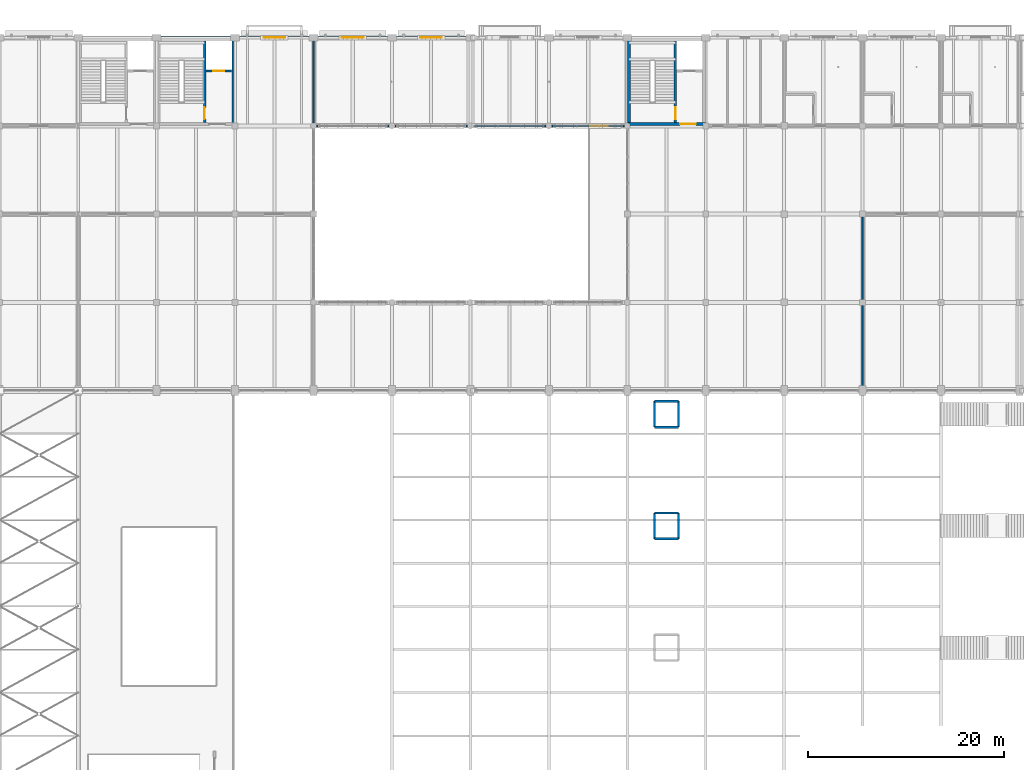
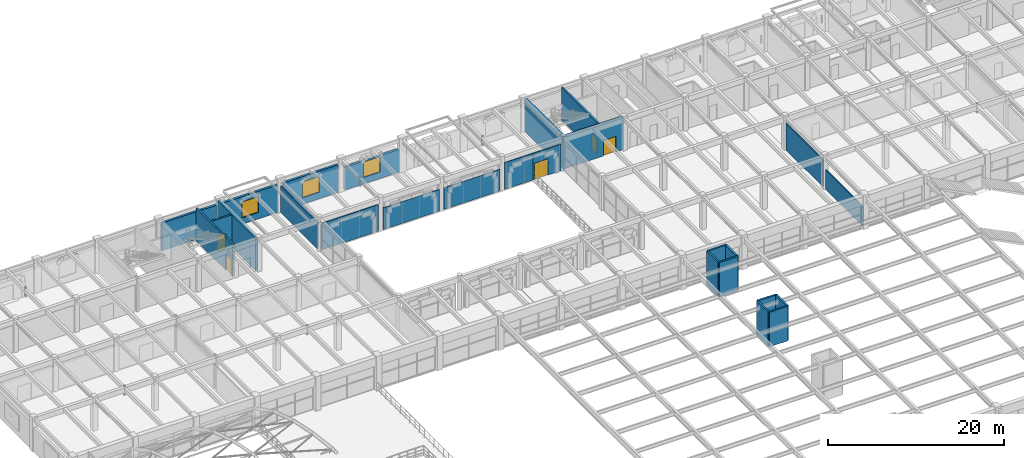
# One storey, part 109 of 144: 26 walls, 5 doors, 3 windows, 8 openings.
"""IFC4 building model written with IfcOpenShell, lengths in metres."""

from ifc_helpers import new_model, si_unit, direction, frame, frame_2d, origin, place, context, subcontext, project, spatial, rectangle, extrude, material, layer, layer_set, type_object, element, fill, save


model = new_model("IFC4")

# Units and contexts
model_context = context("Model", 3, precision=1e-05, world=origin(), true_north=direction((0.0, 1.0)))
body_context = subcontext(model_context, "Body", "Model", "MODEL_VIEW")
ifc_project = project(units=[si_unit("LENGTHUNIT", "METRE"), si_unit("AREAUNIT", "SQUARE_METRE"), si_unit("VOLUMEUNIT", "CUBIC_METRE"), si_unit("PLANEANGLEUNIT", "RADIAN"), si_unit("MASSUNIT", "GRAM", prefix="KILO")], contexts=[model_context])

# Site, building, storey
site_placement = place(None, origin())
site = spatial("IfcSite", under=ifc_project, at=site_placement, CompositionType="ELEMENT")
building_placement = place(site_placement, origin())
building = spatial("IfcBuilding", under=site, at=building_placement, Name="Varnabhumi Central Station", CompositionType="ELEMENT")
storey_placement = place(building_placement, frame((0.0, 0.0, 4.800048828125)))
storey = spatial("IfcBuildingStorey", under=building, at=storey_placement, Name="L01", CompositionType="ELEMENT", Elevation=4.800048828125)

# Wall
ifc_material_1 = material(Name="Concrete M40", Category="concrete")
ifc_layer_1 = layer(ifc_material_1, 0.300048828125, Name="Concrete M40", Category="concrete")
ifc_layer_set_1 = layer_set([ifc_layer_1], Name="Concrete M40")
wall_type_1 = type_object("IfcWallType", Name="WAL-CORE-RC-300", PredefinedType="SHEAR", material=ifc_layer_set_1)
wall_1_placement = place(storey_placement, frame((80.179931640625, 107.179931640625, 0.0), z_axis=(0.0, 0.0, 1.0), x_axis=(0.0, 1.0, 0.0)))
element("IfcWall", 1, at=wall_1_placement, inside=storey, type_object=wall_type_1, Name="NC2 L01 West Shear Wall", PredefinedType="SHEAR", context=body_context, shape_type="SweptSolid", body=[
    extrude(rectangle(XDim=8.64013671875, YDim=0.300048828125, at=frame_2d((4.320068359375, 0.0))), origin(), (0.0, 0.0, 1.0), 4.52001953125),
])

# Wall, opening, door
wall_2_placement = place(storey_placement, frame((80.030029296875, 107.179931640625, 0.0), z_axis=(0.0, 0.0, 1.0), x_axis=(1.0, 0.0, 0.0)))
wall_2 = element("IfcWall", 2, at=wall_2_placement, inside=storey, type_object=wall_type_1, Name="NC2 L01 Corridor Shear Wall", PredefinedType="SHEAR", context=body_context, shape_type="SweptSolid", body=[
    extrude(rectangle(XDim=7.93994140625, YDim=0.300048828125, at=frame_2d((3.969970703125, 0.0))), origin(), (0.0, 0.0, 1.0), 4.52001953125),
])
opening_1_placement = place(wall_2_placement, frame((5.35009765625, 0.0, 0.0)))
opening_1 = element("IfcOpeningElement", 3, at=opening_1_placement, cuts=wall_2, Name="Opening FD-60D", PredefinedType="OPENING", context=body_context, shape_type="SweptSolid", body=[
    extrude(rectangle(XDim=1.60009765625, YDim=2.14990234375, at=frame_2d((0.800048828125, 1.074951171875))), frame((0.0, 0.159912109375, 0.0), z_axis=(0.0, -1.0, 0.0), x_axis=(1.0, 0.0, 0.0)), (0.0, 0.0, 1.0), 0.320068359375),
])
ifc_material_2 = material(Name="Intumescent-treated hardwood timber", Category="wood")
door_type_1 = type_object("IfcDoorType", Name="DR-FIRE-60-1600", OperationType="NOTDEFINED", PredefinedType="DOOR", material=ifc_material_2)
door_1_placement = place(opening_1_placement, frame((1.60009765625, 0.0, 0.0), z_axis=(0.0, 0.0, 1.0), x_axis=(-1.0, 0.0, 0.0)))
door_1 = element("IfcDoor", 4, at=door_1_placement, inside=storey, type_object=door_type_1, Name="NC2 L01 Lobby Fire Door", OperationType="DOUBLE_DOOR_SINGLE_SWING", OverallHeight=2.14990234375, OverallWidth=1.60009765625, PredefinedType="DOOR", context=body_context, shape_type="SweptSolid", body=[
    extrude(rectangle(XDim=1.60009765625, YDim=2.14990234375, at=frame_2d((0.800048828125, 1.074951171875))), frame((0.0, 0.02490234375, 0.0), z_axis=(0.0, -1.0, 0.0), x_axis=(1.0, 0.0, 0.0)), (0.0, 0.0, 1.0), 0.050048828125),
])
fill(opening_1, door_1)

# Walls
wall_3_placement = place(storey_placement, frame((39.820068359375, 107.179931640625, 0.0), z_axis=(0.0, 0.0, 1.0), x_axis=(0.0, 1.0, 0.0)))
element("IfcWall", 5, at=wall_3_placement, inside=storey, type_object=wall_type_1, Name="NC4 L01 East Shear Wall", PredefinedType="SHEAR", context=body_context, shape_type="SweptSolid", body=[
    extrude(rectangle(XDim=8.64013671875, YDim=0.300048828125, at=frame_2d((4.320068359375, 0.0))), origin(), (0.0, 0.0, 1.0), 4.52001953125),
])
ifc_material_3 = material(Name="Autoclaved aerated blockwork masonry", Category="masonry")
ifc_layer_2 = layer(ifc_material_3, 0.300048828125, Name="Autoclaved aerated blockwork masonry", Category="masonry")
ifc_layer_set_2 = layer_set([ifc_layer_2], Name="Autoclaved aerated blockwork masonry")
wall_type_2 = type_object("IfcWallType", Name="WAL-EXT-STUCCO-300", PredefinedType="SOLIDWALL", material=ifc_layer_set_2)
wall_4_placement = place(storey_placement, frame((32.39990234375, 116.0, 0.0), z_axis=(0.0, 0.0, 1.0), x_axis=(1.0, 0.0, 0.0)))
element("IfcWall", 6, at=wall_4_placement, inside=storey, type_object=wall_type_2, Name="North Boulevard Wall L01-5", PredefinedType="SOLIDWALL", context=body_context, shape_type="SweptSolid", body=[
    extrude(rectangle(XDim=7.2001953125, YDim=0.300048828125, at=frame_2d((3.60009765625, 0.0))), origin(), (0.0, 0.0, 1.0), 3.83984375),
])

# Wall, opening, window
wall_5_placement = place(storey_placement, frame((40.39990234375, 116.0, 0.0), z_axis=(0.0, 0.0, 1.0), x_axis=(1.0, 0.0, 0.0)))
wall_5 = element("IfcWall", 7, at=wall_5_placement, inside=storey, type_object=wall_type_2, Name="North Boulevard Wall L01-6", PredefinedType="SOLIDWALL", context=body_context, shape_type="SweptSolid", body=[
    extrude(rectangle(XDim=7.2001953125, YDim=0.300048828125, at=frame_2d((3.60009765625, 0.0))), origin(), (0.0, 0.0, 1.0), 3.83984375),
])
opening_2_placement = place(wall_5_placement, frame((2.5, 0.0, 0.89990234375)))
opening_2 = element("IfcOpeningElement", 8, at=opening_2_placement, cuts=wall_5, Name="Opening W-03", PredefinedType="OPENING", context=body_context, shape_type="SweptSolid", body=[
    extrude(rectangle(XDim=2.199951171875, YDim=2.199951171875, at=frame_2d((1.10009765625, 1.10009765625))), frame((0.0, 0.159912109375, 0.0), z_axis=(0.0, -1.0, 0.0), x_axis=(1.0, 0.0, 0.0)), (0.0, 0.0, 1.0), 0.320068359375),
])
ifc_material_4 = material(Name="Laminated low-E double glazing", Category="glass")
window_type = type_object("IfcWindowType", Name="WIN-PIER-2200x2200", PartitioningType="DOUBLE_PANEL_VERTICAL", PredefinedType="WINDOW", material=ifc_material_4)
window_1_placement = place(opening_2_placement, origin())
window_1 = element("IfcWindow", 9, at=window_1_placement, inside=storey, type_object=window_type, Name="North Facade Window L01-6", OverallHeight=2.199951171875, OverallWidth=2.199951171875, PartitioningType="SINGLE_PANEL", PredefinedType="WINDOW", context=body_context, shape_type="SweptSolid", body=[
    extrude(rectangle(XDim=2.199951171875, YDim=2.199951171875, at=frame_2d((1.10009765625, 1.10009765625))), frame((0.0, 0.030029296875, 0.0), z_axis=(0.0, -1.0, 0.0), x_axis=(1.0, 0.0, 0.0)), (0.0, 0.0, 1.0), 0.06005859375),
])
fill(opening_2, window_1)

wall_6_placement = place(storey_placement, frame((48.39990234375, 116.0, 0.0), z_axis=(0.0, 0.0, 1.0), x_axis=(1.0, 0.0, 0.0)))
wall_6 = element("IfcWall", 10, at=wall_6_placement, inside=storey, type_object=wall_type_2, Name="North Boulevard Wall L01-7", PredefinedType="SOLIDWALL", context=body_context, shape_type="SweptSolid", body=[
    extrude(rectangle(XDim=7.2001953125, YDim=0.300048828125, at=frame_2d((3.60009765625, 0.0))), origin(), (0.0, 0.0, 1.0), 3.83984375),
])
opening_3_placement = place(wall_6_placement, frame((2.5, 0.0, 0.89990234375)))
opening_3 = element("IfcOpeningElement", 11, at=opening_3_placement, cuts=wall_6, Name="Opening W-03", PredefinedType="OPENING", context=body_context, shape_type="SweptSolid", body=[
    extrude(rectangle(XDim=2.199951171875, YDim=2.199951171875, at=frame_2d((1.10009765625, 1.10009765625))), frame((0.0, 0.159912109375, 0.0), z_axis=(0.0, -1.0, 0.0), x_axis=(1.0, 0.0, 0.0)), (0.0, 0.0, 1.0), 0.320068359375),
])
window_2_placement = place(opening_3_placement, origin())
window_2 = element("IfcWindow", 12, at=window_2_placement, inside=storey, type_object=window_type, Name="North Facade Window L01-7", OverallHeight=2.199951171875, OverallWidth=2.199951171875, PartitioningType="SINGLE_PANEL", PredefinedType="WINDOW", context=body_context, shape_type="SweptSolid", body=[
    extrude(rectangle(XDim=2.199951171875, YDim=2.199951171875, at=frame_2d((1.10009765625, 1.10009765625))), frame((0.0, 0.030029296875, 0.0), z_axis=(0.0, -1.0, 0.0), x_axis=(1.0, 0.0, 0.0)), (0.0, 0.0, 1.0), 0.06005859375),
])
fill(opening_3, window_2)

wall_7_placement = place(storey_placement, frame((56.39990234375, 116.0, 0.0), z_axis=(0.0, 0.0, 1.0), x_axis=(1.0, 0.0, 0.0)))
wall_7 = element("IfcWall", 13, at=wall_7_placement, inside=storey, type_object=wall_type_2, Name="North Boulevard Wall L01-8", PredefinedType="SOLIDWALL", context=body_context, shape_type="SweptSolid", body=[
    extrude(rectangle(XDim=7.2001953125, YDim=0.300048828125, at=frame_2d((3.60009765625, 0.0))), origin(), (0.0, 0.0, 1.0), 3.179931640625),
])
opening_4_placement = place(wall_7_placement, frame((2.5, 0.0, 0.89990234375)))
opening_4 = element("IfcOpeningElement", 14, at=opening_4_placement, cuts=wall_7, Name="Opening W-03", PredefinedType="OPENING", context=body_context, shape_type="SweptSolid", body=[
    extrude(rectangle(XDim=2.199951171875, YDim=2.139892578125, at=frame_2d((1.10009765625, 1.06982421875))), frame((0.0, 0.159912109375, 0.0), z_axis=(0.0, -1.0, 0.0), x_axis=(1.0, 0.0, 0.0)), (0.0, 0.0, 1.0), 0.320068359375),
])
window_3_placement = place(opening_4_placement, origin())
window_3 = element("IfcWindow", 15, at=window_3_placement, inside=storey, type_object=window_type, Name="North Facade Window L01-8", OverallHeight=2.139892578125, OverallWidth=2.199951171875, PartitioningType="SINGLE_PANEL", PredefinedType="WINDOW", context=body_context, shape_type="SweptSolid", body=[
    extrude(rectangle(XDim=2.199951171875, YDim=2.139892578125, at=frame_2d((1.10009765625, 1.06982421875))), frame((0.0, 0.030029296875, 0.0), z_axis=(0.0, -1.0, 0.0), x_axis=(1.0, 0.0, 0.0)), (0.0, 0.0, 1.0), 0.06005859375),
])
fill(opening_4, window_3)

# Walls
ifc_layer_3 = layer(ifc_material_3, 0.159912109375, Name="Autoclaved aerated blockwork masonry", Category="masonry")
ifc_layer_set_3 = layer_set([ifc_layer_3], Name="Autoclaved aerated blockwork masonry")
wall_type_3 = type_object("IfcWallType", Name="WAL-PART-AAC-160", PredefinedType="PARTITIONING", material=ifc_layer_set_3)
wall_8_placement = place(storey_placement, frame((48.300048828125, 107.0, 0.0), z_axis=(0.0, 0.0, 1.0), x_axis=(1.0, 0.0, 0.0)))
element("IfcWall", 16, at=wall_8_placement, inside=storey, type_object=wall_type_3, Name="Transit Reading and Quiet Lounge Corridor Partition 1", PredefinedType="PARTITIONING", context=body_context, shape_type="SweptSolid", body=[
    extrude(rectangle(XDim=7.39990234375, YDim=0.159912109375, at=frame_2d((3.699951171875, 0.0))), origin(), (0.0, 0.0, 1.0), 3.699951171875),
])
for number, where, z_axis, x_axis, name in (
    (17, (56.300048828125, 107.0, 0.0), (0.0, 0.0, 1.0), (1.0, 0.0, 0.0), "Transit Reading and Quiet Lounge Corridor Partition 2"),
    (18, (64.300048828125, 107.0, 0.0), (0.0, 0.0, 1.0), (1.0, 0.0, 0.0), "Transit Reading and Quiet Lounge Corridor Partition 3"),
):
    element("IfcWall", number, at=place(storey_placement, frame(where, z_axis=z_axis, x_axis=x_axis)), inside=storey, type_object=wall_type_3, Name=name, PredefinedType="PARTITIONING", context=body_context, shape_type="SweptSolid", body=[
        extrude(rectangle(XDim=7.39990234375, YDim=0.159912109375, at=frame_2d((3.699951171875, 0.0))), origin(), (0.0, 0.0, 1.0), 2.97998046875),
    ])
wall_9_placement = place(storey_placement, frame((72.300048828125, 107.0, 0.0), z_axis=(0.0, 0.0, 1.0), x_axis=(1.0, 0.0, 0.0)))
element("IfcWall", 19, at=wall_9_placement, inside=storey, type_object=wall_type_3, Name="Transit Reading and Quiet Lounge Corridor Partition 4", PredefinedType="PARTITIONING", context=body_context, shape_type="SweptSolid", body=[
    extrude(rectangle(XDim=3.699951171875, YDim=0.159912109375, at=frame_2d((1.85009765625, 0.0))), origin(), (0.0, 0.0, 1.0), 3.699951171875),
])

# Wall, opening, door
wall_10_placement = place(storey_placement, frame((76.0, 107.0, 0.0), z_axis=(0.0, 0.0, 1.0), x_axis=(1.0, 0.0, 0.0)))
wall_10 = element("IfcWall", 20, at=wall_10_placement, inside=storey, type_object=wall_type_3, Name="Transit Reading and Quiet Lounge Corridor Partition 5", PredefinedType="PARTITIONING", context=body_context, shape_type="SweptSolid", body=[
    extrude(rectangle(XDim=3.699951171875, YDim=0.159912109375, at=frame_2d((1.85009765625, 0.0))), origin(), (0.0, 0.0, 1.0), 3.699951171875),
])
opening_5_placement = place(wall_10_placement, frame((0.199951171875, 0.0, 0.0)))
opening_5 = element("IfcOpeningElement", 21, at=opening_5_placement, cuts=wall_10, Name="Opening D-02", PredefinedType="OPENING", context=body_context, shape_type="SweptSolid", body=[
    extrude(rectangle(XDim=1.800048828125, YDim=2.25, at=frame_2d((0.89990234375, 1.125))), frame((0.0, 0.08984375, 0.0), z_axis=(0.0, -1.0, 0.0), x_axis=(1.0, 0.0, 0.0)), (0.0, 0.0, 1.0), 0.179931640625),
])
ifc_material_5 = material(Name="Anodised aluminium 6063-T6", Category="aluminium")
door_type_2 = type_object("IfcDoorType", Name="DR-LOUNGE-1800", OperationType="NOTDEFINED", PredefinedType="DOOR", material=ifc_material_5)
door_2_placement = place(opening_5_placement, frame((1.800048828125, 0.0, 0.0), z_axis=(0.0, 0.0, 1.0), x_axis=(-1.0, 0.0, 0.0)))
door_2 = element("IfcDoor", 22, at=door_2_placement, inside=storey, type_object=door_type_2, Name="Transit Reading and Quiet Lounge Door 5", OperationType="DOUBLE_DOOR_SINGLE_SWING", OverallHeight=2.25, OverallWidth=1.800048828125, PredefinedType="DOOR", context=body_context, shape_type="SweptSolid", body=[
    extrude(rectangle(XDim=1.800048828125, YDim=2.25, at=frame_2d((0.89990234375, 1.125))), frame((0.0, 0.02490234375, 0.0), z_axis=(0.0, -1.0, 0.0), x_axis=(1.0, 0.0, 0.0)), (0.0, 0.0, 1.0), 0.050048828125),
])
fill(opening_5, door_2)

# Walls
wall_11_placement = place(storey_placement, frame((48.0, 107.300048828125, 0.0), z_axis=(0.0, 0.0, 1.0), x_axis=(0.0, 1.0, 0.0)))
element("IfcWall", 23, at=wall_11_placement, inside=storey, type_object=wall_type_3, Name="Transit Reading and Quiet Lounge E Partition 1", PredefinedType="PARTITIONING", context=body_context, shape_type="SweptSolid", body=[
    extrude(rectangle(XDim=8.39990234375, YDim=0.159912109375, at=frame_2d((4.199951171875, 0.0))), origin(), (0.0, 0.0, 1.0), 3.699951171875),
])
wall_12_placement = place(storey_placement, frame((104.0, 80.300048828125, 0.0), z_axis=(0.0, 0.0, 1.0), x_axis=(0.0, 1.0, 0.0)))
element("IfcWall", 24, at=wall_12_placement, inside=storey, type_object=wall_type_3, Name="Ladies' Transit Dormitory E Partition 1", PredefinedType="PARTITIONING", context=body_context, shape_type="SweptSolid", body=[
    extrude(rectangle(XDim=8.39990234375, YDim=0.159912109375, at=frame_2d((4.199951171875, 0.0))), origin(), (0.0, 0.0, 1.0), 2.7099609375),
])
wall_13_placement = place(storey_placement, frame((104.0, 89.300048828125, 0.0), z_axis=(0.0, 0.0, 1.0), x_axis=(0.0, 1.0, 0.0)))
element("IfcWall", 25, at=wall_13_placement, inside=storey, type_object=wall_type_3, Name="Ladies' Transit Dormitory E Partition 2", PredefinedType="PARTITIONING", context=body_context, shape_type="SweptSolid", body=[
    extrude(rectangle(XDim=8.39990234375, YDim=0.159912109375, at=frame_2d((4.199951171875, 0.0))), origin(), (0.0, 0.0, 1.0), 3.699951171875),
])

# Wall, opening, door
ifc_layer_4 = layer(ifc_material_1, 0.239990234375, Name="Concrete M40", Category="concrete")
ifc_layer_set_4 = layer_set([ifc_layer_4], Name="Concrete M40")
wall_type_4 = type_object("IfcWallType", Name="WAL-SHAFT-RC-240", PredefinedType="SHEAR", material=ifc_layer_set_4)
wall_14_placement = place(storey_placement, frame((84.89990234375, 107.35009765625, 0.0), z_axis=(0.0, 0.0, 1.0), x_axis=(0.0, 1.0, 0.0)))
wall_14 = element("IfcWall", 26, at=wall_14_placement, inside=storey, type_object=wall_type_4, Name="NC2 L01 Stair-Lobby Divider Wall", PredefinedType="SHEAR", context=body_context, shape_type="SweptSolid", body=[
    extrude(rectangle(XDim=8.2998046875, YDim=0.239990234375, at=frame_2d((4.14990234375, 0.0))), origin(), (0.0, 0.0, 1.0), 4.52001953125),
])
opening_6_placement = place(wall_14_placement, frame((0.35009765625, 0.0, 0.0)))
opening_6 = element("IfcOpeningElement", 27, at=opening_6_placement, cuts=wall_14, Name="Opening FD-120", PredefinedType="OPENING", context=body_context, shape_type="SweptSolid", body=[
    extrude(rectangle(XDim=1.199951171875, YDim=2.14990234375, at=frame_2d((0.60009765625, 1.074951171875))), frame((0.0, 0.1298828125, 0.0), z_axis=(0.0, -1.0, 0.0), x_axis=(1.0, 0.0, 0.0)), (0.0, 0.0, 1.0), 0.260009765625),
])
ifc_material_6 = material(Name="Stainless steel Grade 316", Category="steel")
door_type_3 = type_object("IfcDoorType", Name="DR-FIRE-120-1200", OperationType="NOTDEFINED", PredefinedType="DOOR", material=ifc_material_6)
door_3_placement = place(opening_6_placement, origin())
door_3 = element("IfcDoor", 28, at=door_3_placement, inside=storey, type_object=door_type_3, Name="ST-N2 L01 Fire Door", OperationType="SINGLE_SWING_RIGHT", OverallHeight=2.14990234375, OverallWidth=1.199951171875, PredefinedType="DOOR", context=body_context, shape_type="SweptSolid", body=[
    extrude(rectangle(XDim=1.199951171875, YDim=2.14990234375, at=frame_2d((0.60009765625, 1.074951171875))), frame((0.0, 0.02490234375, 0.0), z_axis=(0.0, -1.0, 0.0), x_axis=(1.0, 0.0, 0.0)), (0.0, 0.0, 1.0), 0.050048828125),
])
fill(opening_6, door_3)

wall_15_placement = place(storey_placement, frame((36.89990234375, 107.35009765625, 0.0), z_axis=(0.0, 0.0, 1.0), x_axis=(0.0, 1.0, 0.0)))
wall_15 = element("IfcWall", 29, at=wall_15_placement, inside=storey, type_object=wall_type_4, Name="NC4 L01 Stair-Lobby Divider Wall", PredefinedType="SHEAR", context=body_context, shape_type="SweptSolid", body=[
    extrude(rectangle(XDim=8.2998046875, YDim=0.239990234375, at=frame_2d((4.14990234375, 0.0))), origin(), (0.0, 0.0, 1.0), 4.52001953125),
])
opening_7_placement = place(wall_15_placement, frame((0.35009765625, 0.0, 0.0)))
opening_7 = element("IfcOpeningElement", 30, at=opening_7_placement, cuts=wall_15, Name="Opening FD-120", PredefinedType="OPENING", context=body_context, shape_type="SweptSolid", body=[
    extrude(rectangle(XDim=1.199951171875, YDim=2.14990234375, at=frame_2d((0.60009765625, 1.074951171875))), frame((0.0, 0.1298828125, 0.0), z_axis=(0.0, -1.0, 0.0), x_axis=(1.0, 0.0, 0.0)), (0.0, 0.0, 1.0), 0.260009765625),
])
door_4_placement = place(opening_7_placement, origin())
door_4 = element("IfcDoor", 31, at=door_4_placement, inside=storey, type_object=door_type_3, Name="ST-N4 L01 Fire Door", OperationType="SINGLE_SWING_RIGHT", OverallHeight=2.14990234375, OverallWidth=1.199951171875, PredefinedType="DOOR", context=body_context, shape_type="SweptSolid", body=[
    extrude(rectangle(XDim=1.199951171875, YDim=2.14990234375, at=frame_2d((0.60009765625, 1.074951171875))), frame((0.0, 0.02490234375, 0.0), z_axis=(0.0, -1.0, 0.0), x_axis=(1.0, 0.0, 0.0)), (0.0, 0.0, 1.0), 0.050048828125),
])
fill(opening_7, door_4)

wall_16_placement = place(storey_placement, frame((37.02001953125, 112.60009765625, 0.0), z_axis=(0.0, 0.0, 1.0), x_axis=(1.0, 0.0, 0.0)))
wall_16 = element("IfcWall", 32, at=wall_16_placement, inside=storey, type_object=wall_type_4, Name="PL-9 L01 Lift Shaft Front Wall", PredefinedType="SHEAR", context=body_context, shape_type="SweptSolid", body=[
    extrude(rectangle(XDim=2.6298828125, YDim=0.239990234375, at=frame_2d((1.31494140625, 0.0))), origin(), (0.0, 0.0, 1.0), 4.52001953125),
])
opening_8_placement = place(wall_16_placement, frame((0.764892578125, 0.0, 0.0)))
opening_8 = element("IfcOpeningElement", 33, at=opening_8_placement, cuts=wall_16, Name="Opening LD-PL-9", PredefinedType="OPENING", context=body_context, shape_type="SweptSolid", body=[
    extrude(rectangle(XDim=1.10009765625, YDim=2.14990234375, at=frame_2d((0.550048828125, 1.074951171875))), frame((0.0, 0.1298828125, 0.0), z_axis=(0.0, -1.0, 0.0), x_axis=(1.0, 0.0, 0.0)), (0.0, 0.0, 1.0), 0.260009765625),
])
door_type_4 = type_object("IfcDoorType", Name="DR-LIFT-PASS-1100", OperationType="NOTDEFINED", PredefinedType="DOOR", material=ifc_material_6)
door_5_placement = place(opening_8_placement, origin())
door_5 = element("IfcDoor", 34, at=door_5_placement, inside=storey, type_object=door_type_4, Name="Lift Landing Door PL-9 L01", OperationType="DOUBLE_DOOR_SLIDING", OverallHeight=2.14990234375, OverallWidth=1.10009765625, PredefinedType="DOOR", context=body_context, shape_type="SweptSolid", body=[
    extrude(rectangle(XDim=1.10009765625, YDim=2.14990234375, at=frame_2d((0.550048828125, 1.074951171875))), frame((0.0, 0.02490234375, 0.0), z_axis=(0.0, -1.0, 0.0), x_axis=(1.0, 0.0, 0.0)), (0.0, 0.0, 1.0), 0.050048828125),
])
fill(opening_8, door_5)

# Walls
wall_17_placement = place(storey_placement, frame((82.780029296875, 64.8798828125, 0.0), z_axis=(0.0, 0.0, 1.0), x_axis=(0.0, 1.0, 0.0)))
element("IfcWall", 35, at=wall_17_placement, inside=storey, type_object=wall_type_4, Name="PL-3 L01 Shaft West Wall", PredefinedType="SHEAR", context=body_context, shape_type="SweptSolid", body=[
    extrude(rectangle(XDim=2.64013671875, YDim=0.239990234375, at=frame_2d((1.320068359375, 0.0))), origin(), (0.0, 0.0, 1.0), 4.800048828125),
])
for number, where, z_axis, x_axis, name in (
    (36, (82.780029296875, 64.8798828125, 0.0), (0.0, 0.0, 1.0), (1.0, 0.0, 0.0), "PL-3 L01 Shaft South Wall"),
    (37, (82.780029296875, 67.52001953125, 0.0), (0.0, 0.0, 1.0), (1.0, 0.0, 0.0), "PL-3 L01 Shaft North Wall"),
):
    element("IfcWall", number, at=place(storey_placement, frame(where, z_axis=z_axis, x_axis=x_axis)), inside=storey, type_object=wall_type_4, Name=name, PredefinedType="SHEAR", context=body_context, shape_type="SweptSolid", body=[
        extrude(rectangle(XDim=2.43994140625, YDim=0.239990234375, at=frame_2d((1.219970703125, 0.0))), origin(), (0.0, 0.0, 1.0), 4.800048828125),
    ])
wall_18_placement = place(storey_placement, frame((85.219970703125, 64.8798828125, 0.0), z_axis=(0.0, 0.0, 1.0), x_axis=(0.0, 1.0, 0.0)))
element("IfcWall", 38, at=wall_18_placement, inside=storey, type_object=wall_type_4, Name="PL-3 L01 Shaft Front Wall", PredefinedType="SHEAR", context=body_context, shape_type="SweptSolid", body=[
    extrude(rectangle(XDim=2.64013671875, YDim=0.239990234375, at=frame_2d((1.320068359375, 0.0))), origin(), (0.0, 0.0, 1.0), 4.800048828125),
])
wall_19_placement = place(storey_placement, frame((82.780029296875, 76.280029296875, 0.0), z_axis=(0.0, 0.0, 1.0), x_axis=(0.0, 1.0, 0.0)))
element("IfcWall", 39, at=wall_19_placement, inside=storey, type_object=wall_type_4, Name="PL-4 L01 Shaft West Wall", PredefinedType="SHEAR", context=body_context, shape_type="SweptSolid", body=[
    extrude(rectangle(XDim=2.639892578125, YDim=0.239990234375, at=frame_2d((1.31982421875, 0.0))), origin(), (0.0, 0.0, 1.0), 4.800048828125),
])
for number, where, z_axis, x_axis, name in (
    (40, (82.780029296875, 76.280029296875, 0.0), (0.0, 0.0, 1.0), (1.0, 0.0, 0.0), "PL-4 L01 Shaft South Wall"),
    (41, (82.780029296875, 78.919921875, 0.0), (0.0, 0.0, 1.0), (1.0, 0.0, 0.0), "PL-4 L01 Shaft North Wall"),
):
    element("IfcWall", number, at=place(storey_placement, frame(where, z_axis=z_axis, x_axis=x_axis)), inside=storey, type_object=wall_type_4, Name=name, PredefinedType="SHEAR", context=body_context, shape_type="SweptSolid", body=[
        extrude(rectangle(XDim=2.43994140625, YDim=0.239990234375, at=frame_2d((1.219970703125, 0.0))), origin(), (0.0, 0.0, 1.0), 4.800048828125),
    ])
wall_20_placement = place(storey_placement, frame((85.219970703125, 76.280029296875, 0.0), z_axis=(0.0, 0.0, 1.0), x_axis=(0.0, 1.0, 0.0)))
element("IfcWall", 42, at=wall_20_placement, inside=storey, type_object=wall_type_4, Name="PL-4 L01 Shaft Front Wall", PredefinedType="SHEAR", context=body_context, shape_type="SweptSolid", body=[
    extrude(rectangle(XDim=2.639892578125, YDim=0.239990234375, at=frame_2d((1.31982421875, 0.0))), origin(), (0.0, 0.0, 1.0), 4.800048828125),
])

save(model, "model.ifc")
